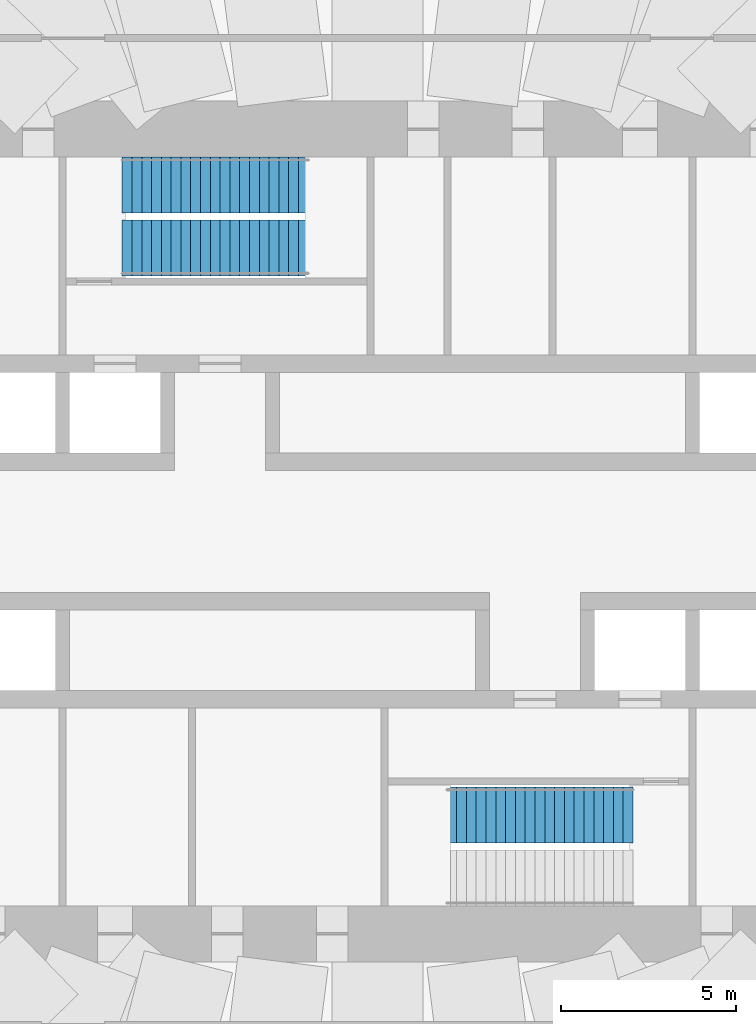
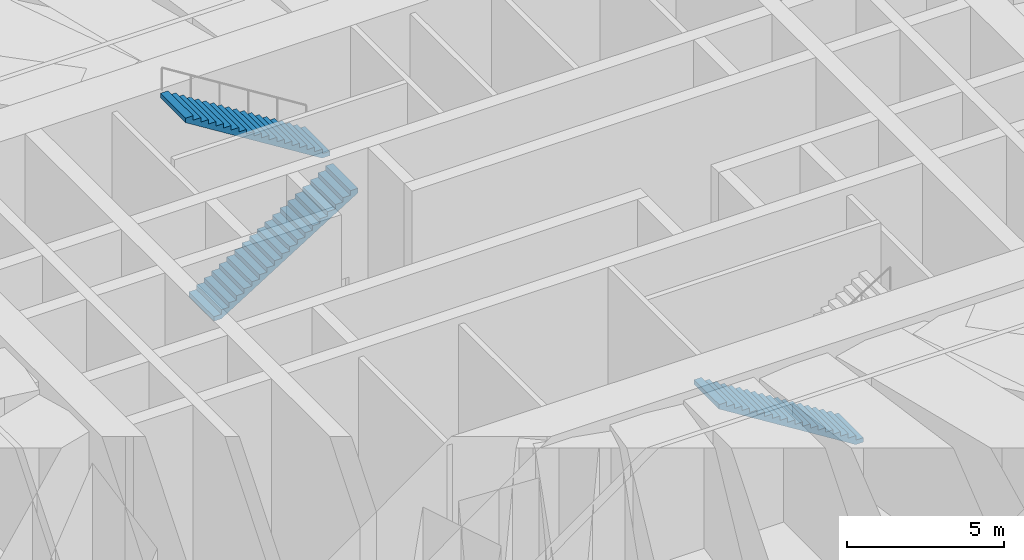
# One storey, part 16 of 17: 3 stair flights, 2 elements without a shape of their own.
"""IFC4 building model written with IfcOpenShell, lengths in metres."""

from ifc_helpers import new_model, si_unit, direction, frame, origin, place, context, subcontext, project, spatial, polyline, outline, extrude, material, type_object, element, aggregate, save


model = new_model("IFC4")

# Units and contexts
model_context = context("Model", 3, precision=1e-05, world=origin(), true_north=direction((0.0, 1.0)))
body_context = subcontext(model_context, "Body", "Model", "MODEL_VIEW")
ifc_project = project(units=[si_unit("LENGTHUNIT", "METRE"), si_unit("AREAUNIT", "SQUARE_METRE"), si_unit("VOLUMEUNIT", "CUBIC_METRE"), si_unit("PLANEANGLEUNIT", "RADIAN"), si_unit("MASSUNIT", "GRAM", prefix="KILO")], contexts=[model_context])

# Site, building, storey
site_placement = place(None, origin())
site = spatial("IfcSite", under=ifc_project, at=site_placement, CompositionType="ELEMENT")
building_placement = place(site_placement, origin())
building = spatial("IfcBuilding", under=site, at=building_placement, Name="Tarfa Lantern Tower", CompositionType="ELEMENT")
storey_placement = place(building_placement, frame((0.0, 0.0, 107.5)))
storey = spatial("IfcBuildingStorey", under=building, at=storey_placement, Name="L24", CompositionType="ELEMENT", Elevation=107.5)

# Stair, stair flights
ifc_material = material(Name="Concrete C40/50", Category="concrete")
stair_type = type_object("IfcStairType", Name="ST-T3 HALF-TURN STAIR 7000 RISE", PredefinedType="HALF_TURN_STAIR", material=ifc_material)
stair_1_placement = place(storey_placement, origin())
stair_1 = element("IfcStair", 1, at=stair_1_placement, inside=storey, type_object=stair_type, Name="Stair ST1", PredefinedType="HALF_TURN_STAIR")
stair_flight_type = type_object("IfcStairFlightType", Name="SF1 STAIR FLIGHT", PredefinedType="STRAIGHT", material=ifc_material)
stair_flight_1_placement = place(storey_placement, frame((-7.300048828125, 8.10009765625, 0.0), z_axis=(0.0, 0.0, 1.0), x_axis=(1.0, 0.0, 0.0)))
stair_flight_1 = element("IfcStairFlight", 2, at=stair_flight_1_placement, type_object=stair_flight_type, Name="ST1 flight 1", NumberOfRisers=20, NumberOfTreads=19, PredefinedType="STRAIGHT", RiserHeight=0.175, TreadLength=0.28, context=body_context, shape_type="SweptSolid", body=[
    extrude(outline(polyline([(0.0, 0.0), (0.0, 0.175048828125), (0.280029296875, 0.175048828125), (0.280029296875, 0.35009765625), (0.56005859375, 0.35009765625), (0.56005859375, 0.52490234375), (0.840087890625, 0.52490234375), (0.840087890625, 0.699951171875), (1.1201171875, 0.699951171875), (1.1201171875, 0.875), (1.39990234375, 0.875), (1.39990234375, 1.050048828125), (1.679931640625, 1.050048828125), (1.679931640625, 1.22509765625), (1.9599609375, 1.22509765625), (1.9599609375, 1.39990234375), (2.239990234375, 1.39990234375), (2.239990234375, 1.574951171875), (2.52001953125, 1.574951171875), (2.52001953125, 1.75), (2.800048828125, 1.75), (2.800048828125, 1.925048828125), (3.080078125, 1.925048828125), (3.080078125, 2.10009765625), (3.360107421875, 2.10009765625), (3.360107421875, 2.27490234375), (3.639892578125, 2.27490234375), (3.639892578125, 2.449951171875), (3.919921875, 2.449951171875), (3.919921875, 2.625), (4.199951171875, 2.625), (4.199951171875, 2.800048828125), (4.47998046875, 2.800048828125), (4.47998046875, 2.97509765625), (4.760009765625, 2.97509765625), (4.760009765625, 3.14990234375), (5.0400390625, 3.14990234375), (5.0400390625, 3.324951171875), (5.320068359375, 3.324951171875), (5.320068359375, 3.5), (5.320068359375, 3.148193359375), (0.28271484375, 0.0), (0.0, 0.0)])), frame((0.0, 0.800048828125, 0.0), z_axis=(0.0, -1.0, 0.0), x_axis=(1.0, 0.0, 0.0)), (0.0, 0.0, 1.0), 1.60009765625),
])
stair_flight_2_placement = place(storey_placement, frame((-1.97998046875, 9.89990234375, 3.5), z_axis=(0.0, 0.0, 1.0), x_axis=(-1.0, 0.0, 0.0)))
stair_flight_2 = element("IfcStairFlight", 3, at=stair_flight_2_placement, type_object=stair_flight_type, Name="ST1 flight 2", NumberOfRisers=20, NumberOfTreads=19, PredefinedType="STRAIGHT", RiserHeight=0.175, TreadLength=0.28, context=body_context, shape_type="SweptSolid", body=[
    extrude(outline(polyline([(0.0, 0.0), (0.0, 0.175048828125), (0.280029296875, 0.175048828125), (0.280029296875, 0.35009765625), (0.56005859375, 0.35009765625), (0.56005859375, 0.52490234375), (0.840087890625, 0.52490234375), (0.840087890625, 0.699951171875), (1.1201171875, 0.699951171875), (1.1201171875, 0.875), (1.39990234375, 0.875), (1.39990234375, 1.050048828125), (1.679931640625, 1.050048828125), (1.679931640625, 1.22509765625), (1.9599609375, 1.22509765625), (1.9599609375, 1.39990234375), (2.239990234375, 1.39990234375), (2.239990234375, 1.574951171875), (2.52001953125, 1.574951171875), (2.52001953125, 1.75), (2.800048828125, 1.75), (2.800048828125, 1.925048828125), (3.080078125, 1.925048828125), (3.080078125, 2.10009765625), (3.360107421875, 2.10009765625), (3.360107421875, 2.27490234375), (3.639892578125, 2.27490234375), (3.639892578125, 2.449951171875), (3.919921875, 2.449951171875), (3.919921875, 2.625), (4.199951171875, 2.625), (4.199951171875, 2.800048828125), (4.47998046875, 2.800048828125), (4.47998046875, 2.97509765625), (4.760009765625, 2.97509765625), (4.760009765625, 3.14990234375), (5.0400390625, 3.14990234375), (5.0400390625, 3.324951171875), (5.320068359375, 3.324951171875), (5.320068359375, 3.5), (5.320068359375, 3.148193359375), (0.28271484375, 0.0), (0.0, 0.0)])), frame((0.0, 0.800048828125, 0.0), z_axis=(0.0, -1.0, 0.0), x_axis=(1.0, 0.0, 0.0)), (0.0, 0.0, 1.0), 1.60009765625),
])
aggregate(stair_1, [stair_flight_1, stair_flight_2])

# Stair, stair flight
stair_2_placement = place(storey_placement, origin())
stair_2 = element("IfcStair", 4, at=stair_2_placement, inside=storey, type_object=stair_type, Name="Stair ST2", PredefinedType="HALF_TURN_STAIR")
stair_flight_3_placement = place(storey_placement, frame((7.300048828125, -8.10009765625, 0.0), z_axis=(0.0, 0.0, 1.0), x_axis=(-1.0, 0.0, 0.0)))
stair_flight_3 = element("IfcStairFlight", 5, at=stair_flight_3_placement, type_object=stair_flight_type, Name="ST2 flight 1", NumberOfRisers=20, NumberOfTreads=19, PredefinedType="STRAIGHT", RiserHeight=0.175, TreadLength=0.28, context=body_context, shape_type="SweptSolid", body=[
    extrude(outline(polyline([(0.0, 0.0), (0.0, 0.175048828125), (0.280029296875, 0.175048828125), (0.280029296875, 0.35009765625), (0.56005859375, 0.35009765625), (0.56005859375, 0.52490234375), (0.840087890625, 0.52490234375), (0.840087890625, 0.699951171875), (1.1201171875, 0.699951171875), (1.1201171875, 0.875), (1.39990234375, 0.875), (1.39990234375, 1.050048828125), (1.679931640625, 1.050048828125), (1.679931640625, 1.22509765625), (1.9599609375, 1.22509765625), (1.9599609375, 1.39990234375), (2.239990234375, 1.39990234375), (2.239990234375, 1.574951171875), (2.52001953125, 1.574951171875), (2.52001953125, 1.75), (2.800048828125, 1.75), (2.800048828125, 1.925048828125), (3.080078125, 1.925048828125), (3.080078125, 2.10009765625), (3.360107421875, 2.10009765625), (3.360107421875, 2.27490234375), (3.639892578125, 2.27490234375), (3.639892578125, 2.449951171875), (3.919921875, 2.449951171875), (3.919921875, 2.625), (4.199951171875, 2.625), (4.199951171875, 2.800048828125), (4.47998046875, 2.800048828125), (4.47998046875, 2.97509765625), (4.760009765625, 2.97509765625), (4.760009765625, 3.14990234375), (5.0400390625, 3.14990234375), (5.0400390625, 3.324951171875), (5.320068359375, 3.324951171875), (5.320068359375, 3.5), (5.320068359375, 3.148193359375), (0.28271484375, 0.0), (0.0, 0.0)])), frame((0.0, 0.800048828125, 0.0), z_axis=(0.0, -1.0, 0.0), x_axis=(1.0, 0.0, 0.0)), (0.0, 0.0, 1.0), 1.60009765625),
])
aggregate(stair_2, [stair_flight_3])

save(model, "model.ifc")
